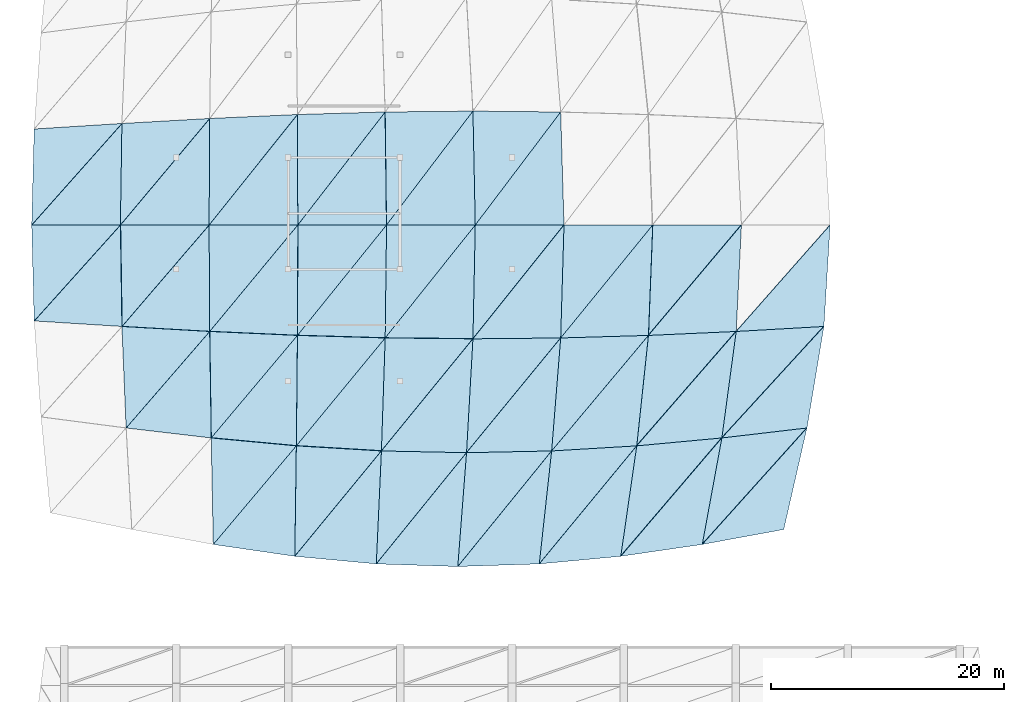
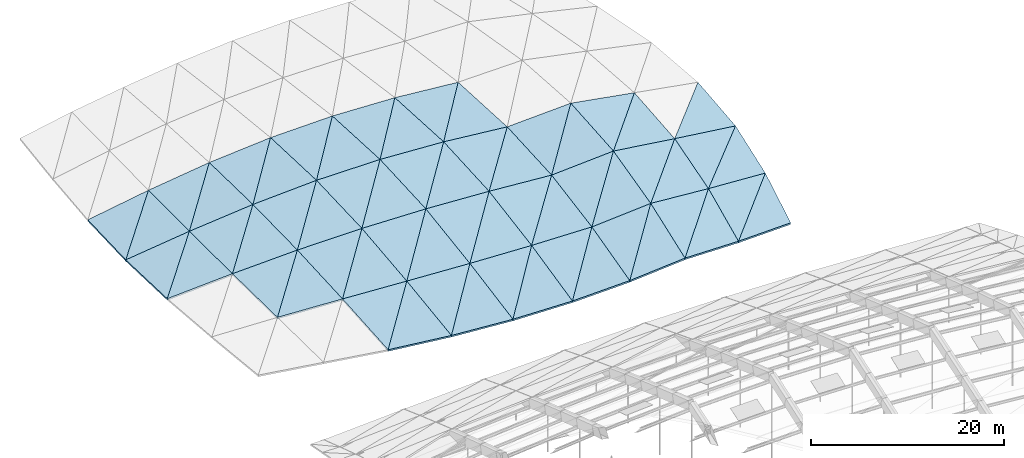
# One storey, part 42 of 43: 59 slabs.
"""IFC4 building model written with IfcOpenShell, lengths in metres."""

from ifc_helpers import new_model, si_unit, direction, frame, origin, place, context, subcontext, project, spatial, polyline, outline, extrude, material, layer, layer_set, type_object, element, save


model = new_model("IFC4")

# Units and contexts
model_context = context("Model", 3, precision=1e-05, world=origin(), true_north=direction((0.0, 1.0)))
body_context = subcontext(model_context, "Body", "Model", "MODEL_VIEW")
ifc_project = project(units=[si_unit("LENGTHUNIT", "METRE"), si_unit("AREAUNIT", "SQUARE_METRE"), si_unit("VOLUMEUNIT", "CUBIC_METRE"), si_unit("PLANEANGLEUNIT", "RADIAN"), si_unit("MASSUNIT", "GRAM", prefix="KILO")], contexts=[model_context])

# Site, building, storey
site_placement = place(None, origin())
site = spatial("IfcSite", under=ifc_project, at=site_placement, CompositionType="ELEMENT")
building_placement = place(site_placement, origin())
building = spatial("IfcBuilding", under=site, at=building_placement, Name="Chalmorin Arch Market", CompositionType="ELEMENT")
storey_placement = place(building_placement, frame((0.0, 0.0, 18.60009765625)))
storey = spatial("IfcBuildingStorey", under=building, at=storey_placement, Name="RF", CompositionType="ELEMENT", Elevation=18.60009765625)

# Slabs
ifc_material = material(Name="Concrete C40/50", Category="concrete")
ifc_layer = layer(ifc_material, 0.22509765625)
ifc_layer_set = layer_set([ifc_layer], Name="Concrete C40/50")
slab_type = type_object("IfcSlabType", Name="StudioSlopedRoofSlab-225", PredefinedType="ROOF", material=ifc_layer_set)
slab_1_placement = place(storey_placement, frame((45.4140625, 86.76708984375, -0.814208984375), z_axis=(-0.109066744309, -0.016465162074, 0.993898054995), x_axis=(0.99220121627, -0.062499343561, 0.10784515977)))
element("IfcSlab", 1, at=slab_1_placement, inside=storey, type_object=slab_type, Name="RS-225-242", PredefinedType="ROOF", context=body_context, shape_type="SweptSolid", body=[
    extrude(outline(polyline([(0.0, 0.0), (7.586017176075133, -1.3877787807814457e-17), (6.926001840211876, 8.683937279017519), (0.0, 0.0)])), origin(), (0.0, 0.0, -1.0), 0.22509765625),
])
slab_2_placement = place(storey_placement, frame((45.4140625, 86.76708984375, -0.814208984375), z_axis=(-0.123458036912, -0.003357879691, 0.992344112577), x_axis=(0.665846035409, 0.741191655314, 0.085346278322)))
element("IfcSlab", 2, at=slab_2_placement, inside=storey, type_object=slab_type, Name="RS-225-243", PredefinedType="ROOF", context=body_context, shape_type="SweptSolid", body=[
    extrude(outline(polyline([(0.0, 0.0), (11.107667088841314, 7.355227538141662e-16), (5.959703310259005, 5.6840646764019), (0.0, 0.0)])), origin(), (0.0, 0.0, -1.0), 0.22509765625),
])
slab_3_placement = place(storey_placement, frame((45.199951171875, 95.0, -0.81298828125), z_axis=(-0.12344160653, 0.016656054003, 0.992212046713), x_axis=(0.992349707141, 0.0, 0.123458732934)))
element("IfcSlab", 3, at=slab_3_placement, inside=storey, type_object=slab_type, Name="RS-225-244", PredefinedType="ROOF", context=body_context, shape_type="SweptSolid", body=[
    extrude(outline(polyline([(0.0, 0.0), (7.668775802637294, -3.469446951953614e-18), (7.782598897633982, 8.708239271662796), (0.0, 0.0)])), origin(), (0.0, 0.0, -1.0), 0.22509765625),
])
slab_4_placement = place(storey_placement, frame((45.199951171875, 95.0, -0.81298828125), z_axis=(-0.108240356816, 0.002962380482, 0.994120339525), x_axis=(0.66280289224, 0.745519990818, 0.069944759121)))
element("IfcSlab", 4, at=slab_4_placement, inside=storey, type_object=slab_type, Name="RS-225-245", PredefinedType="ROOF", context=body_context, shape_type="SweptSolid", body=[
    extrude(outline(polyline([(0.0, 0.0), (11.67913853047321, -9.43689570931383e-16), (6.279627329849208, 5.3285021713463605), (0.0, 0.0)])), origin(), (0.0, 0.0, -1.0), 0.22509765625),
])
slab_5_placement = place(storey_placement, frame((53.300048828125, 77.5859375, -0.37109375), z_axis=(-0.049693784331, -0.075942101699, 0.995873147037), x_axis=(0.992390020216, -0.116228549239, 0.040656759799)))
element("IfcSlab", 5, at=slab_5_placement, inside=storey, type_object=slab_type, Name="RS-225-252", PredefinedType="ROOF", context=body_context, shape_type="SweptSolid", body=[
    extrude(outline(polyline([(0.0, 0.0), (7.3560280528977895, -1.1796119636642288e-16), (6.191368455626362, 9.086671275520494), (0.0, 0.0)])), origin(), (0.0, 0.0, -1.0), 0.22509765625),
])
slab_6_placement = place(storey_placement, frame((53.300048828125, 77.5859375, -0.37109375), z_axis=(-0.083832845583, -0.046328399631, 0.995402297259), x_axis=(0.651901239128, 0.752950371936, 0.08994727247)))
element("IfcSlab", 6, at=slab_6_placement, inside=storey, type_object=slab_type, Name="RS-225-253", PredefinedType="ROOF", context=body_context, shape_type="SweptSolid", body=[
    extrude(outline(polyline([(0.0, 0.0), (10.99548262800203, 2.636779683484747e-16), (6.355574793090444, 5.97399884600469), (0.0, 0.0)])), origin(), (0.0, 0.0, -1.0), 0.22509765625),
])
slab_7_placement = place(storey_placement, frame((52.94091796875, 86.29296875, 0.00390625), z_axis=(-0.082836882039, -0.027698780001, 0.996178110862), x_axis=(0.995092784977, -0.056579340666, 0.08117344083)))
element("IfcSlab", 7, at=slab_7_placement, inside=storey, type_object=slab_type, Name="RS-225-254", PredefinedType="ROOF", context=body_context, shape_type="SweptSolid", body=[
    extrude(outline(polyline([(0.0, 0.0), (7.564218857789565, -2.0816681711721685e-17), (7.019799701314825, 9.12232560243201), (0.0, 0.0)])), origin(), (0.0, 0.0, -1.0), 0.22509765625),
])
slab_8_placement = place(storey_placement, frame((52.94091796875, 86.29296875, 0.00390625), z_axis=(-0.096012424103, -0.01628908648, 0.995246843793), x_axis=(0.649748040728, 0.756434488625, 0.075062294057)))
element("IfcSlab", 8, at=slab_8_placement, inside=storey, type_object=slab_type, Name="RS-225-255", PredefinedType="ROOF", context=body_context, shape_type="SweptSolid", body=[
    extrude(outline(polyline([(0.0, 0.0), (11.510621714024236, -7.147060721024445e-16), (6.511022410380457, 5.78385460406884), (0.0, 0.0)])), origin(), (0.0, 0.0, -1.0), 0.22509765625),
])
slab_9_placement = place(storey_placement, frame((52.81005859375, 95.0, 0.1337890625), z_axis=(-0.095988222715, 0.027735669884, 0.994995976734), x_axis=(0.995378906655, 0.0, 0.096025164335)))
element("IfcSlab", 9, at=slab_9_placement, inside=storey, type_object=slab_type, Name="RS-225-256", PredefinedType="ROOF", context=body_context, shape_type="SweptSolid", body=[
    extrude(outline(polyline([(0.0, 0.0), (7.645192429102337, 3.469446951953614e-18), (7.669059586410046, 9.138525426649817), (0.0, 0.0)])), origin(), (0.0, 0.0, -1.0), 0.22509765625),
])
slab_10_placement = place(storey_placement, frame((52.81005859375, 95.0, 0.1337890625), z_axis=(-0.082202477888, 0.016100013038, 0.996485595585), x_axis=(0.641902699811, 0.765711522263, 0.040580643789)))
element("IfcSlab", 10, at=slab_10_placement, inside=storey, type_object=slab_type, Name="RS-225-257", PredefinedType="ROOF", context=body_context, shape_type="SweptSolid", body=[
    extrude(outline(polyline([(0.0, 0.0), (11.930093122580102, -3.5388358909926865e-16), (6.745802410784909, 5.508224463847979), (0.0, 0.0)])), origin(), (0.0, 0.0, -1.0), 0.22509765625),
])
slab_11_placement = place(storey_placement, frame((60.780029296875, 67.595947265625, -1.028076171875), z_axis=(-0.013474281199, -0.114090337346, 0.993379000518), x_axis=(0.989579234473, -0.143955765135, -0.003110688802)))
element("IfcSlab", 11, at=slab_11_placement, inside=storey, type_object=slab_type, Name="RS-225-262", PredefinedType="ROOF", context=body_context, shape_type="SweptSolid", body=[
    extrude(outline(polyline([(0.0, 0.0), (7.063598336417801, 1.7433970933566911e-16), (5.824918300251683, 9.456460502500578), (0.0, 0.0)])), origin(), (0.0, 0.0, -1.0), 0.22509765625),
])
slab_12_placement = place(storey_placement, frame((60.780029296875, 67.595947265625, -1.028076171875), z_axis=(-0.024938589738, -0.10454330191, 0.994207606472), x_axis=(0.641054673751, 0.761448887246, 0.096148309261)))
element("IfcSlab", 12, at=slab_12_placement, inside=storey, type_object=slab_type, Name="RS-225-263", PredefinedType="ROOF", context=body_context, shape_type="SweptSolid", body=[
    extrude(outline(polyline([(0.0, 0.0), (11.106498928103333, 4.787836793695988e-16), (6.932420043599986, 6.027965802652336), (0.0, 0.0)])), origin(), (0.0, 0.0, -1.0), 0.22509765625),
])
slab_13_placement = place(storey_placement, frame((60.60009765625, 76.73095703125, -0.072021484375), z_axis=(-0.023910910339, -0.093289544955, 0.995351861991), x_axis=(0.995598910169, -0.092467497443, 0.015250311065)))
element("IfcSlab", 13, at=slab_13_placement, inside=storey, type_object=slab_type, Name="RS-225-264", PredefinedType="ROOF", context=body_context, shape_type="SweptSolid", body=[
    extrude(outline(polyline([(0.0, 0.0), (7.332073802956619, -7.806255641895632e-17), (6.564509066832112, 9.484096974994442), (0.0, 0.0)])), origin(), (0.0, 0.0, -1.0), 0.22509765625),
])
slab_14_placement = place(storey_placement, frame((60.60009765625, 76.73095703125, -0.072021484375), z_axis=(-0.0447096005, -0.07588818182, 0.996113465165), x_axis=(0.64113100462, 0.762499283937, 0.086867007031)))
element("IfcSlab", 14, at=slab_14_placement, inside=storey, type_object=slab_type, Name="RS-225-265", PredefinedType="ROOF", context=body_context, shape_type="SweptSolid", body=[
    extrude(outline(polyline([(0.0, 0.0), (11.534334602378232, -2.213507155346406e-15), (6.939946288646014, 5.98006457804547), (0.0, 0.0)])), origin(), (0.0, 0.0, -1.0), 0.22509765625),
])
slab_15_placement = place(storey_placement, frame((60.468017578125, 85.864990234375, 0.617919921875), z_axis=(-0.042938676393, -0.034397403955, 0.998485397325), x_axis=(0.998131282015, -0.044967868403, 0.041374323843)))
element("IfcSlab", 15, at=slab_15_placement, inside=storey, type_object=slab_type, Name="RS-225-266", PredefinedType="ROOF", context=body_context, shape_type="SweptSolid", body=[
    extrude(outline(polyline([(0.0, 0.0), (7.5411919704349994, -2.6020852139652106e-17), (7.163573657207451, 9.472333377889495), (0.0, 0.0)])), origin(), (0.0, 0.0, -1.0), 0.22509765625),
])
slab_16_placement = place(storey_placement, frame((60.468017578125, 85.864990234375, 0.617919921875), z_axis=(-0.05114693143, -0.027590275553, 0.998309955926), x_axis=(0.636741697538, 0.769192358003, 0.053880673767)))
element("IfcSlab", 16, at=slab_16_placement, inside=storey, type_object=slab_type, Name="RS-225-267", PredefinedType="ROOF", context=body_context, shape_type="SweptSolid", body=[
    extrude(outline(polyline([(0.0, 0.0), (11.87610572385224, 1.1796119636642288e-15), (7.009425330792745, 5.863546123871136), (0.0, 0.0)])), origin(), (0.0, 0.0, -1.0), 0.22509765625),
])
slab_17_placement = place(storey_placement, frame((60.419921875, 95.0, 0.867919921875), z_axis=(-0.051136207736, 0.034353880575, 0.998100645801), x_axis=(0.998690141396, 0.0, 0.05116640967)))
element("IfcSlab", 17, at=slab_17_placement, inside=storey, type_object=slab_type, Name="RS-225-268", PredefinedType="ROOF", context=body_context, shape_type="SweptSolid", body=[
    extrude(outline(polyline([(0.0, 0.0), (7.6200886605704214, -1.734723475976807e-18), (7.568445794748687, 9.479716674393487), (0.0, 0.0)])), origin(), (0.0, 0.0, -1.0), 0.22509765625),
])
slab_18_placement = place(storey_placement, frame((60.419921875, 95.0, 0.867919921875), z_axis=(-0.042639804425, 0.027556445054, 0.99871041319), x_axis=(0.624480690521, 0.781023516706, 0.005112095378)))
element("IfcSlab", 18, at=slab_18_placement, inside=storey, type_object=slab_type, Name="RS-225-269", PredefinedType="ROOF", context=body_context, shape_type="SweptSolid", body=[
    extrude(outline(polyline([(0.0, 0.0), (12.130391583738053, 2.8275992658421956e-16), (7.163414266344666, 5.67439095088212), (0.0, 0.0)])), origin(), (0.0, 0.0, -1.0), 0.22509765625),
])
slab_19_placement = place(storey_placement, frame((67.77001953125, 66.5791015625, -1.050048828125), z_axis=(-0.009892993697, -0.105728369739, 0.994345835466), x_axis=(0.995650874046, -0.093162959435, 0.0)))
element("IfcSlab", 19, at=slab_19_placement, inside=storey, type_object=slab_type, Name="RS-225-274", PredefinedType="ROOF", context=body_context, shape_type="SweptSolid", body=[
    extrude(outline(polyline([(0.0, 0.0), (7.02052337479203, 1.1102230246251565e-16), (6.555625843395356, 9.745834053852915), (0.0, 0.0)])), origin(), (0.0, 0.0, -1.0), 0.22509765625),
])
slab_20_placement = place(storey_placement, frame((67.77001953125, 66.5791015625, -1.050048828125), z_axis=(0.000648822898, -0.114291782997, 0.993447012864), x_axis=(0.632575171527, 0.769470649452, 0.088111134364)))
element("IfcSlab", 20, at=slab_20_placement, inside=storey, type_object=slab_type, Name="RS-225-275", PredefinedType="ROOF", context=body_context, shape_type="SweptSolid", body=[
    extrude(outline(polyline([(0.0, 0.0), (11.745531559015635, 3.885780586188048e-16), (7.468058263437501, 5.93186979301239), (0.0, 0.0)])), origin(), (0.0, 0.0, -1.0), 0.22509765625),
])
slab_21_placement = place(storey_placement, frame((67.89990234375, 76.052978515625, 0.039794921875), z_axis=(0.001885003631, -0.093864903259, 0.995583159107), x_axis=(0.998192736628, -0.059622495155, -0.007511232592)))
element("IfcSlab", 21, at=slab_21_placement, inside=storey, type_object=slab_type, Name="RS-225-276", PredefinedType="ROOF", context=body_context, shape_type="SweptSolid", body=[
    extrude(outline(polyline([(0.0, 0.0), (7.313265825582774, -2.7755575615628914e-17), (7.0500356655622065, 9.735849047653756), (0.0, 0.0)])), origin(), (0.0, 0.0, -1.0), 0.22509765625),
])
slab_22_placement = place(storey_placement, frame((67.89990234375, 76.052978515625, 0.039794921875), z_axis=(0.00152322535, -0.093569595233, 0.995611576184), x_axis=(0.634095128316, 0.769952345271, 0.071391555927)))
element("IfcSlab", 22, at=slab_22_placement, inside=storey, type_object=slab_type, Name="RS-225-277", PredefinedType="ROOF", context=body_context, shape_type="SweptSolid", body=[
    extrude(outline(polyline([(0.0, 0.0), (12.020389326656593, -2.0122792321330962e-16), (7.417605386180914, 5.95956218107845), (0.0, 0.0)])), origin(), (0.0, 0.0, -1.0), 0.22509765625),
])
slab_23_placement = place(storey_placement, frame((67.9951171875, 85.52587890625, 0.929931640625), z_axis=(0.003243134631, -0.034680121903, 0.999393201509), x_axis=(0.999572691461, -0.028920494349, -0.004247292332)))
element("IfcSlab", 23, at=slab_23_placement, inside=storey, type_object=slab_type, Name="RS-225-278", PredefinedType="ROOF", context=body_context, shape_type="SweptSolid", body=[
    extrude(outline(polyline([(0.0, 0.0), (7.530073133299659, 2.6020852139652106e-18), (7.366221461194274, 9.697047558216015), (0.0, 0.0)])), origin(), (0.0, 0.0, -1.0), 0.22509765625),
])
slab_24_placement = place(storey_placement, frame((67.9951171875, 85.52587890625, 0.929931640625), z_axis=(0.003142150844, -0.034598737793, 0.999396344916), x_axis=(0.627773549732, 0.777995732473, 0.024960178501)))
element("IfcSlab", 24, at=slab_24_placement, inside=storey, type_object=slab_type, Name="RS-225-279", PredefinedType="ROOF", context=body_context, shape_type="SweptSolid", body=[
    extrude(outline(polyline([(0.0, 0.0), (12.177600336751995, 1.042568809062061e-15), (7.4009266434743886, 5.924017220626145), (0.0, 0.0)])), origin(), (0.0, 0.0, -1.0), 0.22509765625),
])
slab_25_placement = place(storey_placement, frame((68.030029296875, 95.0, 1.2578125), z_axis=(0.003142142108, 0.034678905787, 0.999393566337), x_axis=(0.999995057515, 0.0, -0.003144033225)))
element("IfcSlab", 25, at=slab_25_placement, inside=storey, type_object=slab_type, Name="RS-225-280", PredefinedType="ROOF", context=body_context, shape_type="SweptSolid", body=[
    extrude(outline(polyline([(0.0, 0.0), (7.609900893068546, 0.0), (7.493037752672619, 9.697727657713003), (0.0, 0.0)])), origin(), (0.0, 0.0, -1.0), 0.22509765625),
])
slab_26_placement = place(storey_placement, frame((68.030029296875, 95.0, 1.2578125), z_axis=(0.00324549053, 0.034599106728, 0.999396001896), x_axis=(0.611324435145, 0.790835123225, -0.029363972282)))
element("IfcSlab", 26, at=slab_26_placement, inside=storey, type_object=slab_type, Name="RS-225-281", PredefinedType="ROOF", context=body_context, shape_type="SweptSolid", body=[
    extrude(outline(polyline([(0.0, 0.0), (12.255265663630016, -1.1214987272190058e-15), (7.480752981545779, 5.82288846204855), (0.0, 0.0)])), origin(), (0.0, 0.0, -1.0), 0.22509765625),
])
slab_27_placement = place(storey_placement, frame((74.760009765625, 65.925048828125, -1.050048828125), z_axis=(-0.002771936827, -0.086077357156, 0.996284600378), x_axis=(0.999481890933, -0.032186172451, 0.0)))
element("IfcSlab", 27, at=slab_27_placement, inside=storey, type_object=slab_type, Name="RS-225-286", PredefinedType="ROOF", context=body_context, shape_type="SweptSolid", body=[
    extrude(outline(polyline([(0.0, 0.0), (6.99361368903853, 0.0), (7.428859869184409, 9.822664178051252), (0.0, 0.0)])), origin(), (0.0, 0.0, -1.0), 0.22509765625),
])
slab_28_placement = place(storey_placement, frame((74.760009765625, 65.925048828125, -1.050048828125), z_axis=(0.023527663542, -0.107204076601, 0.993958618358), x_axis=(0.628473134255, 0.774792416466, 0.068689379875)))
element("IfcSlab", 28, at=slab_28_placement, inside=storey, type_object=slab_type, Name="RS-225-287", PredefinedType="ROOF", context=body_context, shape_type="SweptSolid", body=[
    extrude(outline(polyline([(0.0, 0.0), (12.315546699629287, 2.220446049250313e-16), (7.856785209489262, 5.785182563401841), (0.0, 0.0)])), origin(), (0.0, 0.0, -1.0), 0.22509765625),
])
slab_29_placement = place(storey_placement, frame((75.199951171875, 75.616943359375, -0.01513671875), z_axis=(0.0242245458, -0.076789389313, 0.99675300906), x_axis=(0.99945458759, -0.020523230553, -0.025871303662)))
element("IfcSlab", 29, at=slab_29_placement, inside=storey, type_object=slab_type, Name="RS-225-288", PredefinedType="ROOF", context=body_context, shape_type="SweptSolid", body=[
    extrude(outline(polyline([(0.0, 0.0), (7.304032538115119, -1.734723475976807e-17), (7.633258901868671, 9.803643793677841), (0.0, 0.0)])), origin(), (0.0, 0.0, -1.0), 0.22509765625),
])
slab_30_placement = place(storey_placement, frame((75.199951171875, 75.616943359375, -0.01513671875), z_axis=(0.047006328098, -0.095247381428, 0.994343170867), x_axis=(0.631725228759, 0.773927265479, 0.044269889281)))
element("IfcSlab", 30, at=slab_30_placement, inside=storey, type_object=slab_type, Name="RS-225-289", PredefinedType="ROOF", context=body_context, shape_type="SweptSolid", body=[
    extrude(outline(polyline([(0.0, 0.0), (12.424897307272818, 5.342948306008566e-16), (7.744105899861998, 5.9063415586611345), (0.0, 0.0)])), origin(), (0.0, 0.0, -1.0), 0.22509765625),
])
slab_31_placement = place(storey_placement, frame((75.52197265625, 85.30810546875, 0.89794921875), z_axis=(0.047875993411, -0.028064038306, 0.998458962106), x_axis=(0.998789203996, -0.009977849399, -0.048172279405)))
element("IfcSlab", 31, at=slab_31_placement, inside=storey, type_object=slab_type, Name="RS-225-290", PredefinedType="ROOF", context=body_context, shape_type="SweptSolid", body=[
    extrude(outline(polyline([(0.0, 0.0), (7.536224439814582, 0.0), (7.626693860875202, 9.772328245209744), (0.0, 0.0)])), origin(), (0.0, 0.0, -1.0), 0.22509765625),
])
slab_32_placement = place(storey_placement, frame((75.52197265625, 85.30810546875, 0.89794921875), z_axis=(0.056912186457, -0.035276349676, 0.997755772815), x_axis=(0.623420917191, 0.781846324972, -0.007917331418)))
element("IfcSlab", 32, at=slab_32_placement, inside=storey, type_object=slab_type, Name="RS-225-291", PredefinedType="ROOF", context=body_context, shape_type="SweptSolid", body=[
    extrude(outline(polyline([(0.0, 0.0), (12.396163058770872, 1.5742615544489524e-15), (7.648426138598294, 5.963317559811929), (0.0, 0.0)])), origin(), (0.0, 0.0, -1.0), 0.22509765625),
])
slab_33_placement = place(storey_placement, frame((75.639892578125, 95.0, 1.23388671875), z_axis=(0.05692492311, 0.028237176865, 0.997979065397), x_axis=(0.998377166874, 0.0, -0.056947630897)))
element("IfcSlab", 33, at=slab_33_placement, inside=storey, type_object=slab_type, Name="RS-225-292", PredefinedType="ROOF", context=body_context, shape_type="SweptSolid", body=[
    extrude(outline(polyline([(0.0, 0.0), (7.6224774307524905, 1.734723475976807e-18), (7.436960773327298, 9.770986010535937), (0.0, 0.0)])), origin(), (0.0, 0.0, -1.0), 0.22509765625),
])
slab_34_placement = place(storey_placement, frame((75.639892578125, 95.0, 1.23388671875), z_axis=(0.047794198862, 0.035182106886, 0.9982374136), x_axis=(0.603389101049, 0.795412691991, -0.056923124961)))
element("IfcSlab", 34, at=slab_34_placement, inside=storey, type_object=slab_type, Name="RS-225-293", PredefinedType="ROOF", context=body_context, shape_type="SweptSolid", body=[
    extrude(outline(polyline([(0.0, 0.0), (12.279273315717749, 7.563394355258879e-16), (7.657026936231308, 5.952269921179913), (0.0, 0.0)])), origin(), (0.0, 0.0, -1.0), 0.22509765625),
])
slab_35_placement = place(storey_placement, frame((81.75, 65.699951171875, -1.050048828125), z_axis=(0.001807619224, -0.056132262463, 0.998421705305), x_axis=(0.999481890933, 0.032186172451, 0.0)))
element("IfcSlab", 35, at=slab_35_placement, inside=storey, type_object=slab_type, Name="RS-225-298", PredefinedType="ROOF", context=body_context, shape_type="SweptSolid", body=[
    extrude(outline(polyline([(0.0, 0.0), (6.99361368903853, 2.7755575615628914e-17), (8.365068045577772, 9.668012817454423), (0.0, 0.0)])), origin(), (0.0, 0.0, -1.0), 0.22509765625),
])
slab_36_placement = place(storey_placement, frame((81.75, 65.699951171875, -1.050048828125), z_axis=(0.043136042081, -0.089495859318, 0.995052648375), x_axis=(0.62966987169, 0.775701033817, 0.042470681911)))
element("IfcSlab", 36, at=slab_36_placement, inside=storey, type_object=slab_type, Name="RS-225-299", PredefinedType="ROOF", context=body_context, shape_type="SweptSolid", body=[
    extrude(outline(polyline([(0.0, 0.0), (12.784554557966002, 8.326672684688674e-16), (8.084522050176092, 5.595951573443016), (0.0, 0.0)])), origin(), (0.0, 0.0, -1.0), 0.22509765625),
])
slab_37_placement = place(storey_placement, frame((82.5, 75.467041015625, -0.2041015625), z_axis=(0.042355920293, -0.045405783058, 0.998070283538), x_axis=(0.998929614036, 0.020512450521, -0.04145920374)))
element("IfcSlab", 37, at=slab_37_placement, inside=storey, type_object=slab_type, Name="RS-225-300", PredefinedType="ROOF", context=body_context, shape_type="SweptSolid", body=[
    extrude(outline(polyline([(0.0, 0.0), (7.3078710707429195, -1.734723475976807e-18), (8.264795315707874, 9.683560173287505), (0.0, 0.0)])), origin(), (0.0, 0.0, -1.0), 0.22509765625),
])
slab_38_placement = place(storey_placement, frame((82.5, 75.467041015625, -0.2041015625), z_axis=(0.084463093676, -0.079908658411, 0.993217293505), x_axis=(0.634351760481, 0.773000547574, 0.008246055111)))
element("IfcSlab", 38, at=slab_38_placement, inside=storey, type_object=slab_type, Name="RS-225-301", PredefinedType="ROOF", context=body_context, shape_type="SweptSolid", body=[
    extrude(outline(polyline([(0.0, 0.0), (12.730992861526031, 1.5161483180037294e-15), (7.903421099038884, 5.80997044426006), (0.0, 0.0)])), origin(), (0.0, 0.0, -1.0), 0.22509765625),
])
slab_39_placement = place(storey_placement, frame((83.049072265625, 85.23291015625, 0.534912109375), z_axis=(0.084087200943, -0.016043418306, 0.996329238438), x_axis=(0.996421534339, 0.009954519383, -0.083934697524)))
element("IfcSlab", 39, at=slab_39_placement, inside=storey, type_object=slab_type, Name="RS-225-302", PredefinedType="ROOF", context=body_context, shape_type="SweptSolid", body=[
    extrude(outline(polyline([(0.0, 0.0), (7.553886793243509, 1.734723475976807e-18), (7.922441604052823, 9.689953054485253), (0.0, 0.0)])), origin(), (0.0, 0.0, -1.0), 0.22509765625),
])
slab_40_placement = place(storey_placement, frame((83.049072265625, 85.23291015625, 0.534912109375), z_axis=(0.100216743791, -0.029034553469, 0.994541904079), x_axis=(0.624064036082, 0.780343371491, -0.04010363375)))
element("IfcSlab", 40, at=slab_40_placement, inside=storey, type_object=slab_type, Name="RS-225-303", PredefinedType="ROOF", context=body_context, shape_type="SweptSolid", body=[
    extrude(outline(polyline([(0.0, 0.0), (12.516400088194494, -6.522560269672795e-16), (7.736452436264544, 5.971087652152461), (0.0, 0.0)])), origin(), (0.0, 0.0, -1.0), 0.22509765625),
])
slab_41_placement = place(storey_placement, frame((83.25, 95.0, 0.7998046875), z_axis=(0.100245368893, 0.016496711747, 0.994825977002), x_axis=(0.994961371353, 0.0, -0.10025901214)))
element("IfcSlab", 41, at=slab_41_placement, inside=storey, type_object=slab_type, Name="RS-225-304", PredefinedType="ROOF", context=body_context, shape_type="SweptSolid", body=[
    extrude(outline(polyline([(0.0, 0.0), (7.648646109271774, 0.0), (7.379140515842304, 9.693213583833227), (0.0, 0.0)])), origin(), (0.0, 0.0, -1.0), 0.22509765625),
])
slab_42_placement = place(storey_placement, frame((83.25, 95.0, 0.7998046875), z_axis=(0.084189317063, 0.028745334726, 0.996035071985), x_axis=(0.601354956831, 0.795567336831, -0.073789080916)))
element("IfcSlab", 42, at=slab_42_placement, inside=storey, type_object=slab_type, Name="RS-225-305", PredefinedType="ROOF", context=body_context, shape_type="SweptSolid", body=[
    extrude(outline(polyline([(0.0, 0.0), (12.182368584735665, 4.718447854656915e-16), (7.669094946429965, 6.057356416037738), (0.0, 0.0)])), origin(), (0.0, 0.0, -1.0), 0.22509765625),
])
slab_43_placement = place(storey_placement, frame((88.739990234375, 65.925048828125, -1.050048828125), z_axis=(0.006997937909, -0.074788339038, 0.997174875941), x_axis=(0.995650874046, 0.093162959435, 0.0)))
element("IfcSlab", 43, at=slab_43_placement, inside=storey, type_object=slab_type, Name="RS-225-310", PredefinedType="ROOF", context=body_context, shape_type="SweptSolid", body=[
    extrude(outline(polyline([(0.0, 0.0), (7.02052337479203, -1.1102230246251565e-16), (9.267296164344248, 9.331392037171076), (0.0, 0.0)])), origin(), (0.0, 0.0, -1.0), 0.22509765625),
])
slab_44_placement = place(storey_placement, frame((88.739990234375, 65.925048828125, -1.050048828125), z_axis=(-0.018382180764, -0.053921424909, 0.998375968945), x_axis=(0.635684998991, 0.770106488863, 0.053297071872)))
element("IfcSlab", 44, at=slab_44_placement, inside=storey, type_object=slab_type, Name="RS-225-311", PredefinedType="ROOF", context=body_context, shape_type="SweptSolid", body=[
    extrude(outline(polyline([(0.0, 0.0), (13.151336644959303, 9.35015953551499e-16), (8.166592858478516, 5.353327934507762), (0.0, 0.0)])), origin(), (0.0, 0.0, -1.0), 0.22509765625),
])
slab_45_placement = place(storey_placement, frame((89.800048828125, 75.616943359375, -0.507080078125), z_axis=(-0.018407714663, -0.053501944285, 0.998398065903), x_axis=(0.997988121764, 0.059610273418, 0.021594539139)))
element("IfcSlab", 45, at=slab_45_placement, inside=storey, type_object=slab_type, Name="RS-225-312", PredefinedType="ROOF", context=body_context, shape_type="SweptSolid", body=[
    extrude(outline(polyline([(0.0, 0.0), (7.314765245121673, 2.42861286636753e-17), (8.891720727285174, 9.409129961718016), (0.0, 0.0)])), origin(), (0.0, 0.0, -1.0), 0.22509765625),
])
slab_46_placement = place(storey_placement, frame((89.800048828125, 75.616943359375, -0.507080078125), z_axis=(-0.035498541815, -0.03919505246, 0.998600821846), x_axis=(0.641363338733, 0.765415443828, 0.052841897002)))
element("IfcSlab", 46, at=slab_46_placement, inside=storey, type_object=slab_type, Name="RS-225-313", PredefinedType="ROOF", context=body_context, shape_type="SweptSolid", body=[
    extrude(outline(polyline([(0.0, 0.0), (12.945826513920709, 7.507015842289633e-16), (7.936942759556101, 5.629563151063473), (0.0, 0.0)])), origin(), (0.0, 0.0, -1.0), 0.22509765625),
])
slab_47_placement = place(storey_placement, frame((90.575927734375, 85.30810546875, -0.09912109375), z_axis=(-0.036123605727, -0.01832390821, 0.999179322993), x_axis=(0.998910402762, 0.028900395033, 0.036643886527)))
element("IfcSlab", 47, at=slab_47_placement, inside=storey, type_object=slab_type, Name="RS-225-314", PredefinedType="ROOF", context=body_context, shape_type="SweptSolid", body=[
    extrude(outline(polyline([(0.0, 0.0), (7.535310062402833, -2.862293735361732e-17), (8.182512279708668, 9.46095769998431), (0.0, 0.0)])), origin(), (0.0, 0.0, -1.0), 0.22509765625),
])
slab_48_placement = place(storey_placement, frame((90.575927734375, 85.30810546875, -0.09912109375), z_axis=(-0.043458951877, -0.012339700272, 0.998979004433), x_axis=(0.631092971282, 0.774823058513, 0.037025526273)))
element("IfcSlab", 48, at=slab_48_placement, inside=storey, type_object=slab_type, Name="RS-225-315", PredefinedType="ROOF", context=body_context, shape_type="SweptSolid", body=[
    extrude(outline(polyline([(0.0, 0.0), (12.5085262044925, 7.806255641895632e-17), (7.693737501249881, 5.9023237888614695), (0.0, 0.0)])), origin(), (0.0, 0.0, -1.0), 0.22509765625),
])
slab_49_placement = place(storey_placement, frame((95.72998046875, 66.5791015625, -1.050048828125), z_axis=(0.143089155352, -0.083638850489, 0.986169375062), x_axis=(0.981153141552, 0.142730007145, -0.130256124167)))
element("IfcSlab", 49, at=slab_49_placement, inside=storey, type_object=slab_type, Name="RS-225-322", PredefinedType="ROOF", context=body_context, shape_type="SweptSolid", body=[
    extrude(outline(polyline([(0.0, 0.0), (7.1242601571028565, -1.942890293094024e-16), (10.007203607858076, 8.845404344498633), (0.0, 0.0)])), origin(), (0.0, 0.0, -1.0), 0.22509765625),
])
slab_50_placement = place(storey_placement, frame((95.72998046875, 66.5791015625, -1.050048828125), z_axis=(0.156708351712, -0.095392827973, 0.98302731441), x_axis=(0.649135932652, 0.760091528259, -0.029722207324)))
element("IfcSlab", 50, at=slab_50_placement, inside=storey, type_object=slab_type, Name="RS-225-323", PredefinedType="ROOF", context=body_context, shape_type="SweptSolid", body=[
    extrude(outline(polyline([(0.0, 0.0), (13.356096063850504, -1.2490009027033011e-15), (8.069572790751572, 5.196620083671108), (0.0, 0.0)])), origin(), (0.0, 0.0, -1.0), 0.22509765625),
])
slab_51_placement = place(storey_placement, frame((97.10009765625, 76.052978515625, -0.34912109375), z_axis=(0.153775137523, -0.058382262677, 0.986379601616), x_axis=(0.984733569775, 0.091458365327, -0.148105246263)))
element("IfcSlab", 51, at=slab_51_placement, inside=storey, type_object=slab_type, Name="RS-225-324", PredefinedType="ROOF", context=body_context, shape_type="SweptSolid", body=[
    extrude(outline(polyline([(0.0, 0.0), (7.412974343071112, -2.7755575615628914e-17), (9.407890639354454, 9.004745338350297), (0.0, 0.0)])), origin(), (0.0, 0.0, -1.0), 0.22509765625),
])
slab_52_placement = place(storey_placement, frame((97.10009765625, 76.052978515625, -0.34912109375), z_axis=(0.169769570673, -0.072559127869, 0.982808967112), x_axis=(0.654987556626, 0.753447532796, -0.057516223703)))
element("IfcSlab", 52, at=slab_52_placement, inside=storey, type_object=slab_type, Name="RS-225-325", PredefinedType="ROOF", context=body_context, shape_type="SweptSolid", body=[
    extrude(outline(polyline([(0.0, 0.0), (13.022820158882427, -2.498001805406602e-16), (7.76397928235864, 5.544289037589126), (0.0, 0.0)])), origin(), (0.0, 0.0, -1.0), 0.22509765625),
])
slab_53_placement = place(storey_placement, frame((98.10302734375, 85.52587890625, 0.177001953125), z_axis=(0.16792092131, -0.021129601239, 0.985573997292), x_axis=(0.984980029103, 0.044376816751, -0.166868332533)))
element("IfcSlab", 53, at=slab_53_placement, inside=storey, type_object=slab_type, Name="RS-225-326", PredefinedType="ROOF", context=body_context, shape_type="SweptSolid", body=[
    extrude(outline(polyline([(0.0, 0.0), (7.641632567516473, 6.938893903907228e-18), (8.470567816479361, 9.109233781115364), (0.0, 0.0)])), origin(), (0.0, 0.0, -1.0), 0.22509765625),
])
slab_54_placement = place(storey_placement, frame((98.10302734375, 85.52587890625, 0.177001953125), z_axis=(0.173733060973, -0.026161053483, 0.984445236062), x_axis=(0.64129370319, 0.761646674603, -0.09293400516)))
element("IfcSlab", 54, at=slab_54_placement, inside=storey, type_object=slab_type, Name="RS-225-327", PredefinedType="ROOF", context=body_context, shape_type="SweptSolid", body=[
    extrude(outline(polyline([(0.0, 0.0), (12.438997516383274, -3.0531133177191805e-16), (7.433871543601291, 5.887796292689899), (0.0, 0.0)])), origin(), (0.0, 0.0, -1.0), 0.22509765625),
])
slab_55_placement = place(storey_placement, frame((102.719970703125, 67.595947265625, -1.97802734375), z_axis=(0.137645384944, -0.066732995762, 0.988230972638), x_axis=(0.975998159544, 0.179136960931, -0.123844829507)))
element("IfcSlab", 55, at=slab_55_placement, inside=storey, type_object=slab_type, Name="RS-225-334", PredefinedType="ROOF", context=body_context, shape_type="SweptSolid", body=[
    extrude(outline(polyline([(0.0, 0.0), (7.161888745407336, 2.7755575615628914e-16), (10.625376808177352, 8.238525099544654), (0.0, 0.0)])), origin(), (0.0, 0.0, -1.0), 0.22509765625),
])
slab_56_placement = place(storey_placement, frame((102.719970703125, 67.595947265625, -1.97802734375), z_axis=(0.159281518116, -0.086457982389, 0.983440092363), x_axis=(0.667897621624, 0.74301839974, -0.042853525829)))
element("IfcSlab", 56, at=slab_56_placement, inside=storey, type_object=slab_type, Name="RS-225-335", PredefinedType="ROOF", context=body_context, shape_type="SweptSolid", body=[
    extrude(outline(polyline([(0.0, 0.0), (13.44514515100452, -1.942890293094024e-16), (7.886747211621376, 4.934750183941445), (0.0, 0.0)])), origin(), (0.0, 0.0, -1.0), 0.22509765625),
])
slab_57_placement = place(storey_placement, frame((104.39990234375, 76.73095703125, -1.447021484375), z_axis=(0.155058715833, -0.046008428096, 0.986833328981), x_axis=(0.982130650688, 0.115026973637, -0.148956974712)))
element("IfcSlab", 57, at=slab_57_placement, inside=storey, type_object=slab_type, Name="RS-225-336", PredefinedType="ROOF", context=body_context, shape_type="SweptSolid", body=[
    extrude(outline(polyline([(0.0, 0.0), (7.432869367239607, -4.163336342344337e-17), (9.839042195466105, 8.49570451840621), (0.0, 0.0)])), origin(), (0.0, 0.0, -1.0), 0.22509765625),
])
slab_58_placement = place(storey_placement, frame((104.39990234375, 76.73095703125, -1.447021484375), z_axis=(0.170561951028, -0.060532232835, 0.98348587669), x_axis=(0.673653939259, 0.735574735426, -0.071555424143)))
element("IfcSlab", 58, at=slab_58_placement, inside=storey, type_object=slab_type, Name="RS-225-337", PredefinedType="ROOF", context=body_context, shape_type="SweptSolid", body=[
    extrude(outline(polyline([(0.0, 0.0), (12.999374853747012, -5.273559366969494e-16), (7.522381206392145, 5.336563559392547), (0.0, 0.0)])), origin(), (0.0, 0.0, -1.0), 0.22509765625),
])
slab_59_placement = place(storey_placement, frame((105.6298828125, 85.864990234375, -1.09814453125), z_axis=(0.168416754088, -0.016554344576, 0.985576861852), x_axis=(0.984322608747, 0.055966966142, -0.167262370576)))
element("IfcSlab", 59, at=slab_59_placement, inside=storey, type_object=slab_type, Name="RS-225-338", PredefinedType="ROOF", context=body_context, shape_type="SweptSolid", body=[
    extrude(outline(polyline([(0.0, 0.0), (7.6469843753339815, 6.938893903907228e-17), (8.649665244387474, 8.665686003379841), (0.0, 0.0)])), origin(), (0.0, 0.0, -1.0), 0.22509765625),
])

save(model, "model.ifc")
